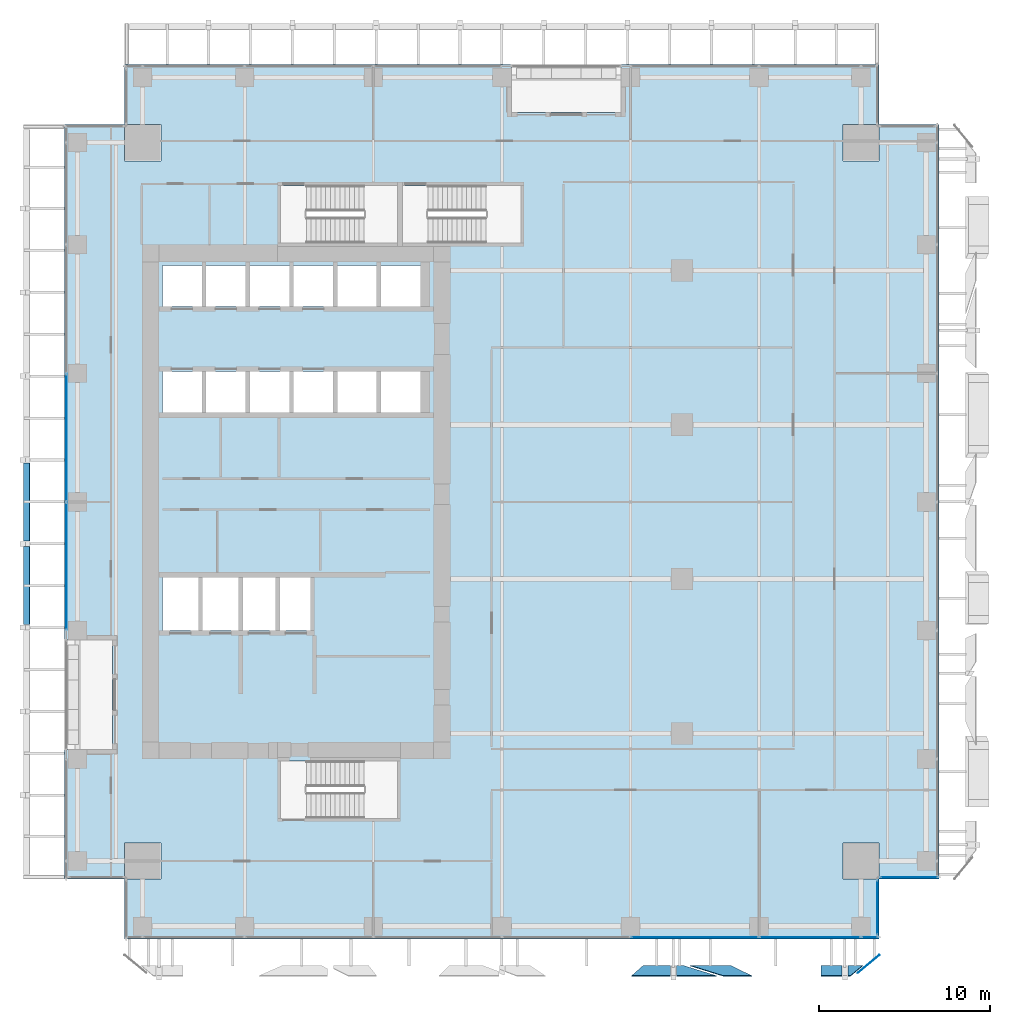
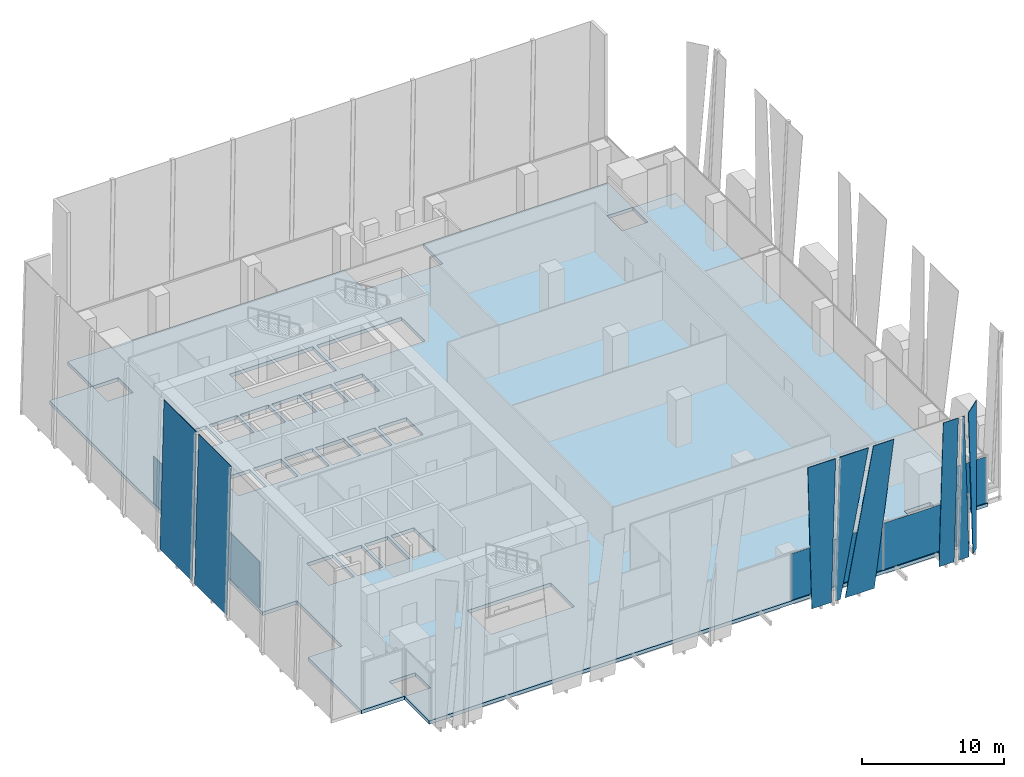
# One storey, part 22 of 34: 15 plates, 1 slab, 4 elements without a shape of their own.
"""IFC4 building model written with IfcOpenShell, lengths in metres."""

import ifcopenshell
import ifcopenshell.guid

model = None  # the IFC model being written
_history = None  # IfcOwnerHistory: only IFC2X3 demands one
_inside = {}  # id of a spatial element -> (the spatial element, [elements in it])
_under = {}  # id of a project, library or spatial element -> (it, [spatial elements below it])
_declared = {}  # id of a project -> (the project, [libraries it declares])
_typed = {}  # id of a type object -> (the type object, [elements of that type])
_made_of = {}  # id of a material, layer set ... -> (it, [elements and type objects made of it])


def new_model(schema):
    """Start an empty IFC model of exactly this schema.

    Asked for "IFC4X3", IfcOpenShell would pick the latest addendum, in which some entities
    have other attributes; the version numbers below select the first issue.
    IFC2X3 requires an IfcOwnerHistory on every rooted entity: one is made here for all.
    """
    global model, _history
    if schema == "IFC4X3":
        model = ifcopenshell.file(schema_version=(4, 3, 0, 0))
    else:
        model = ifcopenshell.file(schema=schema)
    _inside.clear()
    _under.clear()
    _declared.clear()
    _typed.clear()
    _made_of.clear()
    _history = None
    if model.schema == "IFC2X3":
        org = make("IfcOrganization", Name="unknown")
        user = make(
            "IfcPersonAndOrganization",
            ThePerson=make("IfcPerson", FamilyName="unknown"),
            TheOrganization=org,
        )
        app = make(
            "IfcApplication",
            ApplicationDeveloper=org,
            Version="unknown",
            ApplicationFullName="unknown",
            ApplicationIdentifier="unknown",
        )
        _history = make(
            "IfcOwnerHistory",
            OwningUser=user,
            OwningApplication=app,
            ChangeAction="ADDED",
            CreationDate=0,
        )
    return model


def make(cls, **values):
    """One entity of the class cls with the attributes given. An attribute that is None is left unset."""
    return model.create_entity(
        cls, **{name: value for name, value in values.items() if value is not None}
    )


def rooted(cls, **values):
    """An entity with a GlobalId (a new one), such as an element, a storey or a relation."""
    return make(cls, GlobalId=ifcopenshell.guid.new(), OwnerHistory=_history, **values)


def si_unit(unit_type, name, prefix=None):
    """IfcSIUnit, for example si_unit("LENGTHUNIT", "METRE", prefix="MILLI")."""
    return make("IfcSIUnit", UnitType=unit_type, Prefix=prefix, Name=name)


def assignment(units):
    """IfcUnitAssignment: the units of a project."""
    return None if units is None else make("IfcUnitAssignment", Units=units)


def point(xyz):
    """IfcCartesianPoint."""
    return None if xyz is None else make("IfcCartesianPoint", Coordinates=xyz)


def direction(xyz):
    """IfcDirection."""
    return None if xyz is None else make("IfcDirection", DirectionRatios=xyz)


def frame(location, z_axis=None, x_axis=None):
    """IfcAxis2Placement3D, a coordinate frame: its origin and axes. An axis left out is left unset."""
    return make(
        "IfcAxis2Placement3D",
        Location=point(location),
        Axis=direction(z_axis),
        RefDirection=direction(x_axis),
    )


def frame_2d(location, x_axis=None):
    """IfcAxis2Placement2D, a coordinate frame in the plane: its origin and x axis."""
    return make(
        "IfcAxis2Placement2D", Location=point(location), RefDirection=direction(x_axis)
    )


def origin():
    """The frame at (0, 0, 0) with its axes left unset."""
    return frame((0.0, 0.0, 0.0))


def origin_2d():
    """The frame at (0, 0) in the plane with its x axis left unset."""
    return frame_2d((0.0, 0.0))


def place(relative_to, where):
    """IfcLocalPlacement: puts the frame where relative to a parent placement (None: the world)."""
    return make(
        "IfcLocalPlacement", PlacementRelTo=relative_to, RelativePlacement=where
    )


def context(
    kind, dimensions, precision=None, world=None, true_north=None, identifier=None
):
    """IfcGeometricRepresentationContext, for example the 3D "Model" context."""
    return make(
        "IfcGeometricRepresentationContext",
        ContextIdentifier=identifier,
        ContextType=kind,
        CoordinateSpaceDimension=dimensions,
        Precision=precision,
        WorldCoordinateSystem=world,
        TrueNorth=true_north,
    )


def subcontext(parent, identifier, kind, view, scale=None):
    """IfcGeometricRepresentationSubContext, for example "Body" below "Model"."""
    return make(
        "IfcGeometricRepresentationSubContext",
        ContextIdentifier=identifier,
        ContextType=kind,
        ParentContext=parent,
        TargetScale=scale,
        TargetView=view,
    )


def project(units=None, contexts=None):
    """IfcProject with its units and contexts."""
    return rooted(
        "IfcProject",
        Name="project",
        RepresentationContexts=contexts,
        UnitsInContext=assignment(units),
    )


def spatial(cls, under=None, at=None, **own):
    """A site, building, storey or space (cls), placed at a placement, below another one or the project."""
    s = rooted(cls, ObjectPlacement=at, **own)
    if under is not None:
        _under.setdefault(under.id(), (under, []))[1].append(s)
    return s


def polyline(points):
    """IfcPolyline through the points."""
    return make("IfcPolyline", Points=[point(p) for p in points])


def profile(cls, at=None, kind="AREA", **sizes):
    """A parametric profile (cls). Its sizes go by their IFC names, for example OverallWidth=200.0."""
    return make(cls, ProfileType=kind, Position=at, **sizes)


def rectangle(**sizes):
    """IfcRectangleProfileDef."""
    return profile("IfcRectangleProfileDef", **sizes)


def outline(outer, holes=None, kind="AREA"):
    """IfcArbitraryClosedProfileDef: a profile drawn as a closed curve; with holes, ...WithVoids."""
    if holes is None:
        return make("IfcArbitraryClosedProfileDef", ProfileType=kind, OuterCurve=outer)
    return make(
        "IfcArbitraryProfileDefWithVoids",
        ProfileType=kind,
        OuterCurve=outer,
        InnerCurves=holes,
    )


def extrude(swept, where, along, depth):
    """IfcExtrudedAreaSolid: the profile swept, set in the frame where, extruded along a direction by depth."""
    return make(
        "IfcExtrudedAreaSolid",
        SweptArea=swept,
        Position=where,
        ExtrudedDirection=direction(along),
        Depth=depth,
    )


def shape(context_of_items, identifier, shape_type, items):
    """IfcShapeRepresentation: the items that make up one representation, for example the "Body"."""
    return make(
        "IfcShapeRepresentation",
        ContextOfItems=context_of_items,
        RepresentationIdentifier=identifier,
        RepresentationType=shape_type,
        Items=items,
    )


def source(mapping_origin, context_of_items, identifier, shape_type, items):
    """IfcRepresentationMap: a shape defined once, which mapped items show again and again."""
    return make(
        "IfcRepresentationMap",
        MappingOrigin=mapping_origin,
        MappedRepresentation=shape(context_of_items, identifier, shape_type, items),
    )


def transform(
    local_origin,
    x_axis=None,
    y_axis=None,
    z_axis=None,
    scale=None,
    scale2=None,
    scale3=None,
    uniform=True,
):
    """IfcCartesianTransformationOperator3D, or its non-uniform kind. x_axis, y_axis, z_axis: its Axis1, 2, 3."""
    if uniform:
        return make(
            "IfcCartesianTransformationOperator3D",
            Axis1=direction(x_axis),
            Axis2=direction(y_axis),
            LocalOrigin=point(local_origin),
            Scale=scale,
            Axis3=direction(z_axis),
        )
    return make(
        "IfcCartesianTransformationOperator3DnonUniform",
        Axis1=direction(x_axis),
        Axis2=direction(y_axis),
        LocalOrigin=point(local_origin),
        Scale=scale,
        Axis3=direction(z_axis),
        Scale2=scale2,
        Scale3=scale3,
    )


def mapped(mapping_source, mapping_target):
    """IfcMappedItem: shows the shape of a source again, moved by a transform."""
    return make(
        "IfcMappedItem", MappingSource=mapping_source, MappingTarget=mapping_target
    )


def material(Name=None, Category=None):
    """IfcMaterial."""
    return make("IfcMaterial", Name=Name, Category=Category)


def layer(
    of_material, thickness, ventilated=None, Name=None, Category=None, Priority=None
):
    """IfcMaterialLayer: one layer of a wall or slab, of a material (None: an air gap)."""
    return make(
        "IfcMaterialLayer",
        Material=of_material,
        LayerThickness=thickness,
        IsVentilated=ventilated,
        Name=Name,
        Category=Category,
        Priority=Priority,
    )


def layer_set(layers, Name=None):
    """IfcMaterialLayerSet."""
    return make("IfcMaterialLayerSet", MaterialLayers=layers, LayerSetName=Name)


def made_of(thing, what):
    """Note that an element or type object is made of a material, layer set ...; save() writes the relation."""
    if what is not None:
        _made_of.setdefault(what.id(), (what, []))[1].append(thing)
    return thing


def type_object(cls, material=None, **own):
    """A type object (cls), such as IfcWallType, which elements share."""
    return made_of(rooted(cls, **own), material)


def element(
    cls,
    number,
    at=None,
    inside=None,
    cuts=None,
    type_object=None,
    material=None,
    context=None,
    identifier="Body",
    shape_type=None,
    held_by="IfcProductDefinitionShape",
    body=None,
    shapes=None,
    **own,
):
    """One element of the class cls, such as IfcWall. Its Tag is "e" and its number.

    at: its placement. inside: the storey or other place that contains it. cuts: it is an
    opening in that element (IfcRelVoidsElement). A single representation is given by context,
    identifier, shape_type and body (its items); several are given by shapes. held_by: the class
    of the entity that holds the representations. save() writes the other relations.
    """
    e = rooted(cls, Tag="e%d" % number, ObjectPlacement=at, **own)
    if body is not None:
        shapes = [shape(context, identifier, shape_type, body)]
    if shapes is not None:
        e.Representation = make(held_by, Representations=shapes)
    if inside is not None:
        _inside.setdefault(inside.id(), (inside, []))[1].append(e)
    if cuts is not None:
        rooted(
            "IfcRelVoidsElement", RelatingBuildingElement=cuts, RelatedOpeningElement=e
        )
    if type_object is not None:
        _typed.setdefault(type_object.id(), (type_object, []))[1].append(e)
    return made_of(e, material)


def aggregate(whole, parts):
    """IfcRelAggregates: a whole, such as a stair, and the parts it consists of."""
    return rooted("IfcRelAggregates", RelatingObject=whole, RelatedObjects=parts)


def save(model, path):
    """Write the relations noted so far, then the file.

    IfcRelAggregates (storeys below a building ...), IfcRelContainedInSpatialStructure (elements
    in a storey), IfcRelDefinesByType, IfcRelAssociatesMaterial and IfcRelDeclares: one each for
    every whole, place, type object, material and project.
    """
    for whole, parts in _under.values():
        aggregate(whole, parts)
    for where, things in _inside.values():
        rooted(
            "IfcRelContainedInSpatialStructure",
            RelatedElements=things,
            RelatingStructure=where,
        )
    for kind, things in _typed.values():
        rooted("IfcRelDefinesByType", RelatedObjects=things, RelatingType=kind)
    for what, things in _made_of.values():
        rooted("IfcRelAssociatesMaterial", RelatedObjects=things, RelatingMaterial=what)
    for by, libraries in _declared.values():
        rooted("IfcRelDeclares", RelatingContext=by, RelatedDefinitions=libraries)
    model.write(path)


model = new_model("IFC4")

# Units and contexts
model_context = context("Model", 3, precision=1e-05, world=origin(), true_north=direction((0.0, 1.0)))
body_context = subcontext(model_context, "Body", "Model", "MODEL_VIEW")
ifc_project = project(units=[si_unit("LENGTHUNIT", "METRE"), si_unit("AREAUNIT", "SQUARE_METRE"), si_unit("VOLUMEUNIT", "CUBIC_METRE"), si_unit("PLANEANGLEUNIT", "RADIAN"), si_unit("MASSUNIT", "GRAM", prefix="KILO")], contexts=[model_context])

# Site, building, storey
site_placement = place(None, origin())
site = spatial("IfcSite", under=ifc_project, at=site_placement, CompositionType="ELEMENT")
building_placement = place(site_placement, origin())
building = spatial("IfcBuilding", under=site, at=building_placement, Name="Khomas Fold Tower", CompositionType="ELEMENT")
storey_placement = place(building_placement, frame((0.0, 0.0, 114.699951171875)))
storey = spatial("IfcBuildingStorey", under=building, at=storey_placement, Name="L24", CompositionType="ELEMENT", Elevation=114.699951171875)

# Plates
ifc_material_1 = material(Name="Clear laminated glass", Category="glass")
ifc_layer_1 = layer(ifc_material_1, 0.0400390625)
ifc_layer_set_1 = layer_set([ifc_layer_1], Name="Clear laminated glass")
plate_type_1 = type_object("IfcPlateType", Name="SK-Clear laminated glass leaf", PredefinedType="SHEET", material=ifc_layer_set_1)
plate_1_placement = place(storey_placement, frame((40.335205078125, -0.026611328125, 0.0), z_axis=(0.0, 0.998875266546, 0.047415207295), x_axis=(-1.0, 0.0, 0.0)))
element("IfcPlate", 1, at=plate_1_placement, inside=storey, type_object=plate_type_1, Name="OUTER SKIN glass L24 SG105-10", PredefinedType="SHEET", context=body_context, shape_type="SweptSolid", body=[
    extrude(outline(polyline([(0.0, 0.0), (2.36572265625, 0.0), (0.41943359375, 12.764356498773964), (-1.240234375, 12.764356498773964), (0.0, 0.0)])), origin(), (0.0, 0.0, -1.0), 0.0400390625),
])
plate_2_placement = place(storey_placement, frame((35.24658203125, -0.026611328125, 0.0), z_axis=(0.0, 0.998875266546, 0.047415207295), x_axis=(-0.053306851826, -0.047347791357, 0.997455044702)))
element("IfcPlate", 2, at=plate_2_placement, inside=storey, type_object=plate_type_1, Name="OUTER SKIN glass L24 SG104-11", PredefinedType="SHEET", context=body_context, shape_type="SweptSolid", body=[
    extrude(outline(polyline([(0.0, 0.0), (12.782530969910136, 1.1102230246251565e-16), (12.661796676846087, 2.261672306264556), (-0.08441119163667328, 1.5812446457294285), (0.0, 0.0)])), origin(), (0.0, 0.0, -1.0), 0.0400390625),
])
plate_3_placement = place(storey_placement, frame((37.564697265625, -0.026611328125, 0.0), z_axis=(0.0, 0.998875266546, 0.047415207295), x_axis=(-1.0, 0.0, 0.0)))
element("IfcPlate", 3, at=plate_3_placement, inside=storey, type_object=plate_type_1, Name="OUTER SKIN glass L24 SG105-13", PredefinedType="SHEET", context=body_context, shape_type="SweptSolid", body=[
    extrude(outline(polyline([(0.0, 0.0), (0.394775390625, 0.0), (0.394775390625, 12.764356498773964), (-1.946533203125, 12.764356498773964), (0.0, 0.0)])), origin(), (0.0, 0.0, -1.0), 0.0400390625),
])
plate_4_placement = place(storey_placement, frame((45.60009765625, -0.026611328125, 0.0), z_axis=(0.0, 0.998875266546, 0.047415207295), x_axis=(0.0, -0.047415207295, 0.998875266546)))
element("IfcPlate", 4, at=plate_4_placement, inside=storey, type_object=plate_type_1, Name="OUTER SKIN glass L24 SG106-14", PredefinedType="SHEET", context=body_context, shape_type="SweptSolid", body=[
    extrude(outline(polyline([(0.0, 0.0), (12.764356498773964, 0.0), (12.764356498773964, 1.22998046875), (0.0, 1.22998046875), (0.0, 0.0)])), origin(), (0.0, 0.0, -1.0), 0.0400390625),
])
plate_5_placement = place(storey_placement, frame((48.0478515625, -0.026611328125, 0.0), z_axis=(0.0, 0.998875266546, 0.047415207295), x_axis=(-1.0, 0.0, 0.0)))
element("IfcPlate", 5, at=plate_5_placement, inside=storey, type_object=plate_type_1, Name="OUTER SKIN glass L24 SG107-16", PredefinedType="SHEET", context=body_context, shape_type="SweptSolid", body=[
    extrude(outline(polyline([(0.0, 0.0), (0.8779296875, 0.0), (0.8779296875, 12.764356498773964), (0.726318359375, 12.764356498773964), (0.0, 0.0)])), origin(), (0.0, 0.0, -1.0), 0.0400390625),
])
plate_6_placement = place(storey_placement, frame((48.47412109375, 0.109619140625, 0.0), z_axis=(0.64023481775, -0.768179261714, 3.65917e-06), x_axis=(-0.056807840813, -0.047341434832, 0.997262080784)))
element("IfcPlate", 6, at=plate_6_placement, inside=storey, type_object=plate_type_1, Name="OUTER SKIN glass L24 SG107-17", PredefinedType="SHEET", context=body_context, shape_type="SweptSolid", body=[
    extrude(outline(polyline([(0.0, 0.0), (12.785004309142087, -1.1102230246251565e-16), (12.661997576340434, -1.6588623331497576), (-0.05309395365883262, -0.7160222716524214), (0.0, 0.0)])), origin(), (0.0, 0.0, -1.0), 0.0400390625),
])
for number, where, z_axis, x_axis, name in (
    (7, (-0.894287109375, 19.836669921875, 0.0009765625), (-0.999657592188, 0.0, 0.026166741891), (0.0, 1.0, 0.0), "OUTER SKIN glass L24 W7"),
    (8, (-0.894287109375, 24.7255859375, 0.0009765625), (-0.999657592188, 0.0, 0.026166741891), (0.0, 1.0, 0.0), "OUTER SKIN glass L24 W9"),
):
    element("IfcPlate", number, at=place(storey_placement, frame(where, z_axis=z_axis, x_axis=x_axis)), inside=storey, type_object=plate_type_1, Name=name, PredefinedType="SHEET", context=body_context, shape_type="SweptSolid", body=[
        extrude(outline(polyline([(0.0, 0.0), (4.548828125, 0.0), (4.548828125, -12.75436719496662), (0.0, -12.75436719496662), (0.0, 0.0)])), origin(), (0.0, 0.0, -1.0), 0.0400390625),
    ])

# Slab
ifc_material_2 = material(Name="Concrete C40/50", Category="concrete")
ifc_layer_2 = layer(ifc_material_2, 0.300048828125)
ifc_layer_set_2 = layer_set([ifc_layer_2], Name="Concrete C40/50")
slab_type = type_object("IfcSlabType", Name="RC floor slab 300", PredefinedType="FLOOR", material=ifc_layer_set_2)
shared_shape_1 = source(origin(), body_context, "Body", "SweptSolid", [
    extrude(outline(polyline([(1.5, 5.0), (4.9951171875, 5.0), (4.9951171875, 7.10498046875), (7.10498046875, 7.10498046875), (7.10498046875, 4.9951171875), (5.0, 4.9951171875), (5.0, 1.5), (49.0, 1.5), (49.0, 4.9951171875), (46.89501953125, 4.9951171875), (46.89501953125, 7.10498046875), (49.0048828125, 7.10498046875), (49.0048828125, 5.0), (52.5, 5.0), (52.5, 49.0), (49.0048828125, 49.0), (49.0048828125, 46.89501953125), (46.89501953125, 46.89501953125), (46.89501953125, 49.0048828125), (49.0, 49.0048828125), (49.0, 52.5), (33.949951171875, 52.5), (33.949951171875, 49.699951171875), (27.550048828125, 49.699951171875), (27.550048828125, 52.5), (5.0, 52.5), (5.0, 49.0048828125), (7.10498046875, 49.0048828125), (7.10498046875, 46.89501953125), (4.9951171875, 46.89501953125), (4.9951171875, 49.0), (1.5, 49.0), (1.5, 18.949951171875), (4.300048828125, 18.949951171875), (4.300048828125, 12.550048828125), (1.5, 12.550048828125), (1.5, 5.0)]), holes=[polyline([(7.199951171875, 19.5), (7.199951171875, 22.60009765625), (9.300048828125, 22.60009765625), (9.300048828125, 19.5), (7.199951171875, 19.5)]), polyline([(7.199951171875, 32.199951171875), (7.199951171875, 34.60009765625), (9.5, 34.60009765625), (9.5, 32.199951171875), (7.199951171875, 32.199951171875)]), polyline([(7.199951171875, 38.39990234375), (7.199951171875, 40.800048828125), (9.5, 40.800048828125), (9.5, 38.39990234375), (7.199951171875, 38.39990234375)]), polyline([(9.550048828125, 19.5), (9.550048828125, 22.60009765625), (11.64990234375, 22.60009765625), (11.64990234375, 19.5), (9.550048828125, 19.5)]), polyline([(9.75, 32.199951171875), (9.75, 34.60009765625), (12.050048828125, 34.60009765625), (12.050048828125, 32.199951171875), (9.75, 32.199951171875)]), polyline([(9.75, 38.39990234375), (9.75, 40.800048828125), (12.050048828125, 40.800048828125), (12.050048828125, 38.39990234375), (9.75, 38.39990234375)]), polyline([(11.89990234375, 19.5), (11.89990234375, 22.60009765625), (13.800048828125, 22.60009765625), (13.800048828125, 19.5), (11.89990234375, 19.5)]), polyline([(12.300048828125, 32.199951171875), (12.300048828125, 34.60009765625), (14.60009765625, 34.60009765625), (14.60009765625, 32.199951171875), (12.300048828125, 32.199951171875)]), polyline([(12.300048828125, 38.39990234375), (12.300048828125, 40.800048828125), (14.60009765625, 40.800048828125), (14.60009765625, 38.39990234375), (12.300048828125, 38.39990234375)]), polyline([(14.050048828125, 19.5), (14.050048828125, 22.60009765625), (15.949951171875, 22.60009765625), (15.949951171875, 19.5), (14.050048828125, 19.5)]), polyline([(14.10009765625, 8.550048828125), (14.10009765625, 11.89990234375), (20.89990234375, 11.89990234375), (20.89990234375, 8.550048828125), (14.10009765625, 8.550048828125)]), polyline([(14.10009765625, 42.10009765625), (14.10009765625, 45.449951171875), (20.89990234375, 45.449951171875), (20.89990234375, 42.10009765625), (14.10009765625, 42.10009765625)]), polyline([(14.85009765625, 32.199951171875), (14.85009765625, 34.60009765625), (17.14990234375, 34.60009765625), (17.14990234375, 32.199951171875), (14.85009765625, 32.199951171875)]), polyline([(14.85009765625, 38.39990234375), (14.85009765625, 40.800048828125), (17.14990234375, 40.800048828125), (17.14990234375, 38.39990234375), (14.85009765625, 38.39990234375)]), polyline([(17.39990234375, 32.199951171875), (17.39990234375, 34.60009765625), (19.699951171875, 34.60009765625), (19.699951171875, 32.199951171875), (17.39990234375, 32.199951171875)]), polyline([(17.39990234375, 38.39990234375), (17.39990234375, 40.800048828125), (19.699951171875, 40.800048828125), (19.699951171875, 38.39990234375), (17.39990234375, 38.39990234375)]), polyline([(19.949951171875, 32.199951171875), (19.949951171875, 34.60009765625), (22.25, 34.60009765625), (22.25, 32.199951171875), (19.949951171875, 32.199951171875)]), polyline([(19.949951171875, 38.39990234375), (19.949951171875, 40.800048828125), (22.25, 40.800048828125), (22.25, 38.39990234375), (19.949951171875, 38.39990234375)]), polyline([(21.199951171875, 42.10009765625), (21.199951171875, 45.449951171875), (28.10009765625, 45.449951171875), (28.10009765625, 42.10009765625), (21.199951171875, 42.10009765625)])]), origin(), (0.0, 0.0, 1.0), 0.300048828125),
])
slab_placement = place(storey_placement, frame((0.0, 0.0, -0.300048828125)))
element("IfcSlab", 9, at=slab_placement, inside=storey, type_object=slab_type, Name="S-L24", PredefinedType="FLOOR", context=body_context, shape_type="MappedRepresentation", body=[
    mapped(shared_shape_1, transform((0.0, 0.0, 0.0))),
])

# Curtain wall, plates
ifc_material_3 = material(Name="Aluminium framed double glazing", Category="aluminium")
curtain_wall_type = type_object("IfcCurtainWallType", Name="SK-Unitised clear-glass wall, growing floors CW1", PredefinedType="NOTDEFINED", material=ifc_material_3)
curtain_wall_1_placement = place(storey_placement, origin())
curtain_wall_1 = element("IfcCurtainWall", 10, at=curtain_wall_1_placement, inside=storey, type_object=curtain_wall_type, Name="CW1 run L24 00-0", PredefinedType="NOTDEFINED")
ifc_material_4 = material(Name="Clear double glazed unit")
ifc_layer_3 = layer(ifc_material_4, 0.031982421875)
ifc_layer_set_3 = layer_set([ifc_layer_3], Name="Clear double glazed unit")
plate_type_2 = type_object("IfcPlateType", Name="SK-Unitised clear-glass wall, growing floors glass panel CW1-P", PredefinedType="CURTAIN_PANEL", material=ifc_layer_set_3)
shared_shape_2 = source(origin(), body_context, "Body", "SweptSolid", [
    extrude(rectangle(XDim=5.889892578125, YDim=0.031982421875, at=origin_2d()), origin(), (0.0, 0.0, 1.0), 3.97998046875),
])
plate_7_placement = place(storey_placement, frame((44.97509765625, 1.60009765625, 0.0), z_axis=(0.0, 0.0, 1.0), x_axis=(1.0, 0.0, 0.0)))
plate_7 = element("IfcPlate", 11, at=plate_7_placement, type_object=plate_type_2, Name="CW1 glass panel 7", PredefinedType="CURTAIN_PANEL", context=body_context, shape_type="MappedRepresentation", body=[
    mapped(shared_shape_2, transform((0.0, 0.0, 0.0))),
])
shared_shape_3 = source(origin(), body_context, "Body", "SweptSolid", [
    extrude(rectangle(XDim=7.43994140625, YDim=0.031982421875, at=origin_2d()), origin(), (0.0, 0.0, 1.0), 3.97998046875),
])
plate_8_placement = place(storey_placement, frame((38.25, 1.60009765625, 0.0), z_axis=(0.0, 0.0, 1.0), x_axis=(1.0, 0.0, 0.0)))
plate_8 = element("IfcPlate", 12, at=plate_8_placement, type_object=plate_type_2, Name="CW1 glass panel 6", PredefinedType="CURTAIN_PANEL", context=body_context, shape_type="MappedRepresentation", body=[
    mapped(shared_shape_3, transform((0.0, 0.0, 0.0))),
])

curtain_wall_2_placement = place(storey_placement, origin())
curtain_wall_2 = element("IfcCurtainWall", 13, at=curtain_wall_2_placement, inside=storey, type_object=curtain_wall_type, Name="CW1 run L24 09-0", PredefinedType="NOTDEFINED")
plate_9_placement = place(storey_placement, frame((1.60009765625, 30.75, 0.0), z_axis=(0.0, 0.0, 1.0), x_axis=(0.0, -1.0, 0.0)))
plate_9 = element("IfcPlate", 14, at=plate_9_placement, type_object=plate_type_2, Name="CW1 glass panel 4", PredefinedType="CURTAIN_PANEL", context=body_context, shape_type="MappedRepresentation", body=[
    mapped(shared_shape_3, transform((0.0, 0.0, 0.0))),
])
plate_10_placement = place(storey_placement, frame((1.60009765625, 23.25, 0.0), z_axis=(0.0, 0.0, 1.0), x_axis=(0.0, -1.0, 0.0)))
plate_10 = element("IfcPlate", 15, at=plate_10_placement, type_object=plate_type_2, Name="CW1 glass panel 5", PredefinedType="CURTAIN_PANEL", context=body_context, shape_type="MappedRepresentation", body=[
    mapped(shared_shape_3, transform((0.0, 0.0, 0.0))),
])
aggregate(curtain_wall_2, [plate_9, plate_10])

# Plate
shared_shape_4 = source(origin(), body_context, "Body", "SweptSolid", [
    extrude(rectangle(XDim=0.9599609375, YDim=0.031982421875, at=origin_2d()), origin(), (0.0, 0.0, 1.0), 3.97998046875),
])
plate_11_placement = place(storey_placement, frame((48.4599609375, 1.60009765625, 0.0), z_axis=(0.0, 0.0, 1.0), x_axis=(1.0, 0.0, 0.0)))
plate_11 = element("IfcPlate", 16, at=plate_11_placement, type_object=plate_type_2, Name="CW1 glass panel 8", PredefinedType="CURTAIN_PANEL", context=body_context, shape_type="MappedRepresentation", body=[
    mapped(shared_shape_4, transform((0.0, 0.0, 0.0))),
])

aggregate(curtain_wall_1, [plate_8, plate_7, plate_11])

# Curtain wall, plate
curtain_wall_3_placement = place(storey_placement, origin())
curtain_wall_3 = element("IfcCurtainWall", 17, at=curtain_wall_3_placement, inside=storey, type_object=curtain_wall_type, Name="CW1 corner return L24 01", PredefinedType="NOTDEFINED")
shared_shape_5 = source(origin(), body_context, "Body", "SweptSolid", [
    extrude(rectangle(XDim=3.179931640625, YDim=0.031982421875, at=origin_2d()), origin(), (0.0, 0.0, 1.0), 3.97998046875),
])
plate_12_placement = place(storey_placement, frame((48.89990234375, 3.35009765625, 0.0), z_axis=(0.0, 0.0, 1.0), x_axis=(0.0, 1.0, 0.0)))
plate_12 = element("IfcPlate", 18, at=plate_12_placement, type_object=plate_type_2, Name="CW1 glass panel 1", PredefinedType="CURTAIN_PANEL", context=body_context, shape_type="MappedRepresentation", body=[
    mapped(shared_shape_5, transform((0.0, 0.0, 0.0))),
])
aggregate(curtain_wall_3, [plate_12])

curtain_wall_4_placement = place(storey_placement, origin())
curtain_wall_4 = element("IfcCurtainWall", 19, at=curtain_wall_4_placement, inside=storey, type_object=curtain_wall_type, Name="CW1 corner return L24 02", PredefinedType="NOTDEFINED")
shared_shape_6 = source(origin(), body_context, "Body", "SweptSolid", [
    extrude(rectangle(XDim=3.3798828125, YDim=0.031982421875, at=origin_2d()), origin(), (0.0, 0.0, 1.0), 3.97998046875),
])
plate_13_placement = place(storey_placement, frame((50.75, 5.10009765625, 0.0), z_axis=(0.0, 0.0, 1.0), x_axis=(1.0, 0.0, 0.0)))
plate_13 = element("IfcPlate", 20, at=plate_13_placement, type_object=plate_type_2, Name="CW1 glass panel 1", PredefinedType="CURTAIN_PANEL", context=body_context, shape_type="MappedRepresentation", body=[
    mapped(shared_shape_6, transform((0.0, 0.0, 0.0))),
])
aggregate(curtain_wall_4, [plate_13])

save(model, "model.ifc")
